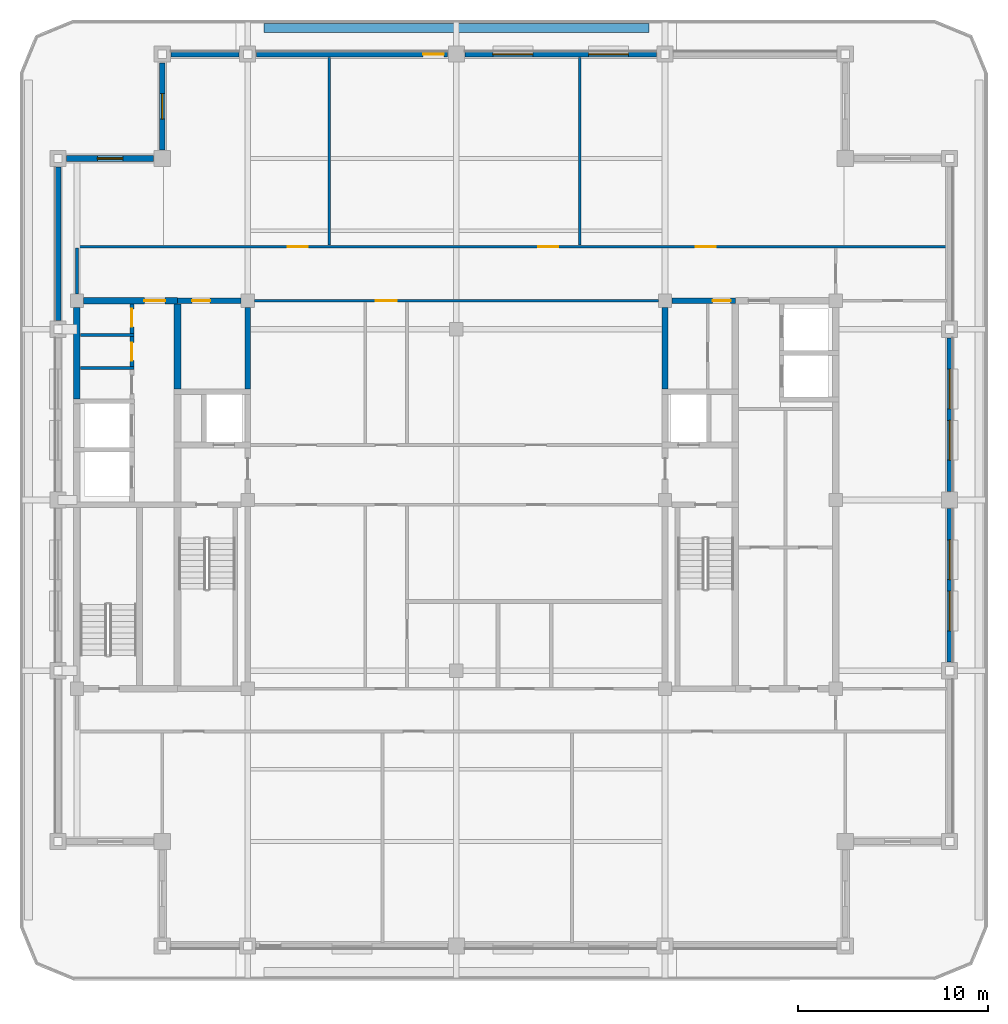
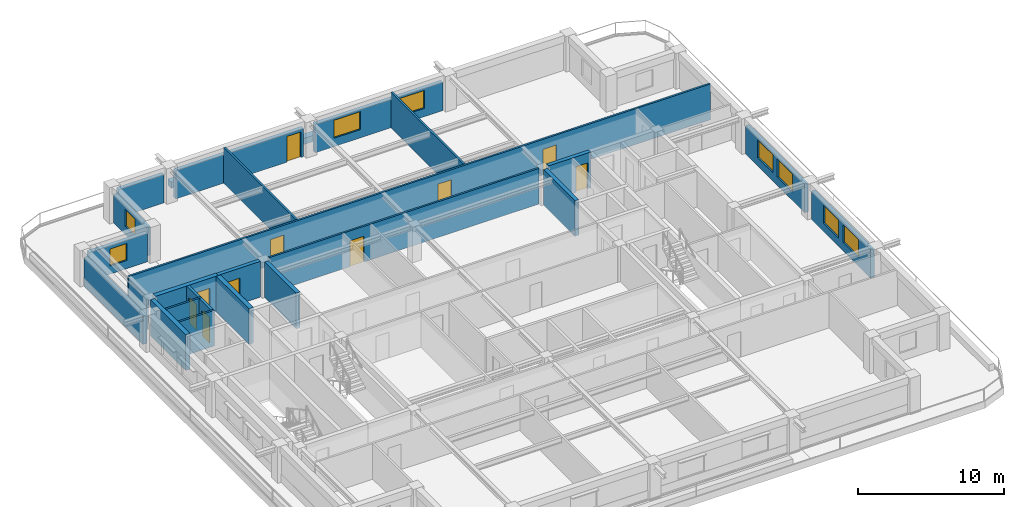
# One storey, part 5 of 11: 25 walls, 10 doors, 8 windows, 18 openings.
"""IFC4 building model written with IfcOpenShell, lengths in metres."""

from ifc_helpers import new_model, si_unit, direction, frame, frame_2d, origin, place, context, subcontext, project, spatial, rectangle, extrude, material, layer, layer_set, type_object, element, fill, save


model = new_model("IFC4")

# Units and contexts
model_context = context("Model", 3, precision=1e-05, world=origin(), true_north=direction((0.0, 1.0)))
body_context = subcontext(model_context, "Body", "Model", "MODEL_VIEW")
ifc_project = project(units=[si_unit("LENGTHUNIT", "METRE"), si_unit("AREAUNIT", "SQUARE_METRE"), si_unit("VOLUMEUNIT", "CUBIC_METRE"), si_unit("PLANEANGLEUNIT", "RADIAN"), si_unit("MASSUNIT", "GRAM", prefix="KILO")], contexts=[model_context])

# Site, building, storey
site_placement = place(None, origin())
site = spatial("IfcSite", under=ifc_project, at=site_placement, CompositionType="ELEMENT")
building_placement = place(site_placement, origin())
building = spatial("IfcBuilding", under=site, at=building_placement, Name="Zulmaris Gate Convention Tower", CompositionType="ELEMENT")
storey_placement = place(building_placement, frame((0.0, 0.0, 230.050048828125)))
storey = spatial("IfcBuildingStorey", under=building, at=storey_placement, Name="L60", CompositionType="ELEMENT", Elevation=230.050048828125)

# Wall, opening, door
ifc_material_1 = material(Name="Concrete C50/60", Category="concrete")
ifc_layer_1 = layer(ifc_material_1, 0.300048828125, Name="Concrete C50/60")
ifc_layer_set_1 = layer_set([ifc_layer_1], Name="Concrete C50/60")
wall_type_1 = type_object("IfcWallType", Name="CORE-300", PredefinedType="SHEAR", material=ifc_layer_set_1)
wall_1_placement = place(storey_placement, frame((-14.699951171875, 10.5, 0.0), z_axis=(0.0, 0.0, 1.0), x_axis=(1.0, 0.0, 0.0)))
wall_1 = element("IfcWall", 1, at=wall_1_placement, inside=storey, type_object=wall_type_1, Name="WL-L60-016", PredefinedType="SHEAR", context=body_context, shape_type="SweptSolid", body=[
    extrude(rectangle(XDim=3.345947265625, YDim=0.300048828125, at=frame_2d((1.6728515625, 0.0))), origin(), (0.0, 0.0, 1.0), 2.97998046875),
])
opening_1_placement = place(wall_1_placement, frame((0.77490234375, 0.0, 0.0)))
opening_1 = element("IfcOpeningElement", 2, at=opening_1_placement, cuts=wall_1, Name="Opening D-11", PredefinedType="OPENING", context=body_context, shape_type="SweptSolid", body=[
    extrude(rectangle(XDim=0.949951171875, YDim=2.14990234375, at=frame_2d((0.47509765625, 1.074951171875))), frame((0.0, 0.16015625, 0.0), z_axis=(0.0, -1.0, 0.0), x_axis=(1.0, 0.0, 0.0)), (0.0, 0.0, 1.0), 0.320068359375),
])
ifc_material_2 = material(Name="Fire-Rated Timber", Category="wood")
door_type_1 = type_object("IfcDoorType", Name="DR-950-FD", OperationType="NOTDEFINED", PredefinedType="DOOR", material=ifc_material_2)
door_1_placement = place(opening_1_placement, origin())
door_1 = element("IfcDoor", 3, at=door_1_placement, inside=storey, type_object=door_type_1, Name="L60 Core Archive Door 07", OperationType="SINGLE_SWING_LEFT", OverallHeight=2.14990234375, OverallWidth=0.949951171875, PredefinedType="DOOR", context=body_context, shape_type="SweptSolid", body=[
    extrude(rectangle(XDim=0.949951171875, YDim=2.14990234375, at=frame_2d((0.47509765625, 1.074951171875))), frame((0.0, 0.02490234375, 0.0), z_axis=(0.0, -1.0, 0.0), x_axis=(1.0, 0.0, 0.0)), (0.0, 0.0, 1.0), 0.050048828125),
])
fill(opening_1, door_1)

wall_2_placement = place(storey_placement, frame((11.35400390625, 10.5, 0.0), z_axis=(0.0, 0.0, 1.0), x_axis=(1.0, 0.0, 0.0)))
wall_2 = element("IfcWall", 4, at=wall_2_placement, inside=storey, type_object=wall_type_1, Name="WL-L60-017", PredefinedType="SHEAR", context=body_context, shape_type="SweptSolid", body=[
    extrude(rectangle(XDim=3.345947265625, YDim=0.300048828125, at=frame_2d((1.6728515625, 0.0))), origin(), (0.0, 0.0, 1.0), 2.97998046875),
])
opening_2_placement = place(wall_2_placement, frame((2.15087890625, 0.0, 0.0)))
opening_2 = element("IfcOpeningElement", 5, at=opening_2_placement, cuts=wall_2, Name="Opening D-11", PredefinedType="OPENING", context=body_context, shape_type="SweptSolid", body=[
    extrude(rectangle(XDim=0.949951171875, YDim=2.14990234375, at=frame_2d((0.47509765625, 1.074951171875))), frame((0.0, 0.16015625, 0.0), z_axis=(0.0, -1.0, 0.0), x_axis=(1.0, 0.0, 0.0)), (0.0, 0.0, 1.0), 0.320068359375),
])
door_2_placement = place(opening_2_placement, origin())
door_2 = element("IfcDoor", 6, at=door_2_placement, inside=storey, type_object=door_type_1, Name="L60 Core Linen Closet Door 08", OperationType="SINGLE_SWING_RIGHT", OverallHeight=2.14990234375, OverallWidth=0.949951171875, PredefinedType="DOOR", context=body_context, shape_type="SweptSolid", body=[
    extrude(rectangle(XDim=0.949951171875, YDim=2.14990234375, at=frame_2d((0.47509765625, 1.074951171875))), frame((0.0, 0.02490234375, 0.0), z_axis=(0.0, -1.0, 0.0), x_axis=(1.0, 0.0, 0.0)), (0.0, 0.0, 1.0), 0.050048828125),
])
fill(opening_2, door_2)

# Walls
for number, where, z_axis, x_axis, name in (
    (7, (-11.0, 5.85205078125, 0.0), (0.0, 0.0, 1.0), (0.0, 1.0, 0.0), "WL-L60-048"),
    (8, (11.0, 5.85205078125, 0.0), (0.0, 0.0, 1.0), (0.0, 1.0, 0.0), "WL-L60-052"),
):
    element("IfcWall", number, at=place(storey_placement, frame(where, z_axis=z_axis, x_axis=x_axis)), inside=storey, type_object=wall_type_1, Name=name, PredefinedType="SHEAR", context=body_context, shape_type="SweptSolid", body=[
        extrude(rectangle(XDim=4.2939453125, YDim=0.300048828125, at=frame_2d((2.14697265625, 0.0))), origin(), (0.0, 0.0, 1.0), 2.97998046875),
    ])

# Wall, opening, door
ifc_material_3 = material(Name="Concrete C55/67", Category="concrete")
ifc_layer_2 = layer(ifc_material_3, 0.35009765625, Name="Concrete C55/67")
ifc_layer_set_2 = layer_set([ifc_layer_2], Name="Concrete C55/67")
wall_type_2 = type_object("IfcWallType", Name="CORE-350", PredefinedType="SHEAR", material=ifc_layer_set_2)
wall_3_placement = place(storey_placement, frame((-19.64599609375, 10.5, 0.0), z_axis=(0.0, 0.0, 1.0), x_axis=(1.0, 0.0, 0.0)))
wall_3 = element("IfcWall", 9, at=wall_3_placement, inside=storey, type_object=wall_type_2, Name="WL-L60-015", PredefinedType="SHEAR", context=body_context, shape_type="SweptSolid", body=[
    extrude(rectangle(XDim=4.946044921875, YDim=0.35009765625, at=frame_2d((2.47314453125, 0.0))), origin(), (0.0, 0.0, 1.0), 2.97998046875),
])
opening_3_placement = place(wall_3_placement, frame((3.196044921875, 0.0, 0.0)))
opening_3 = element("IfcOpeningElement", 10, at=opening_3_placement, cuts=wall_3, Name="Opening D-08", PredefinedType="OPENING", context=body_context, shape_type="SweptSolid", body=[
    extrude(rectangle(XDim=1.10009765625, YDim=2.14990234375, at=frame_2d((0.550048828125, 1.074951171875))), frame((0.0, 0.18505859375, 0.0), z_axis=(0.0, -1.0, 0.0), x_axis=(1.0, 0.0, 0.0)), (0.0, 0.0, 1.0), 0.3701171875),
])
ifc_material_4 = material(Name="Fire-Rated Steel", Category="steel")
door_type_2 = type_object("IfcDoorType", Name="DR-1100-FD", OperationType="NOTDEFINED", PredefinedType="DOOR", material=ifc_material_4)
door_3_placement = place(opening_3_placement, origin())
door_3 = element("IfcDoor", 11, at=door_3_placement, inside=storey, type_object=door_type_2, Name="L60 High-Rise West Lift Lobby Door 13", OperationType="SINGLE_SWING_LEFT", OverallHeight=2.14990234375, OverallWidth=1.10009765625, PredefinedType="DOOR", context=body_context, shape_type="SweptSolid", body=[
    extrude(rectangle(XDim=1.10009765625, YDim=2.14990234375, at=frame_2d((0.550048828125, 1.074951171875))), frame((0.0, 0.02490234375, 0.0), z_axis=(0.0, -1.0, 0.0), x_axis=(1.0, 0.0, 0.0)), (0.0, 0.0, 1.0), 0.050048828125),
])
fill(opening_3, door_3)

# Walls
wall_4_placement = place(storey_placement, frame((-20.0, 5.326904296875, 0.0), z_axis=(0.0, 0.0, 1.0), x_axis=(0.0, 1.0, 0.0)))
element("IfcWall", 12, at=wall_4_placement, inside=storey, type_object=wall_type_2, Name="WL-L60-035", PredefinedType="SHEAR", context=body_context, shape_type="SweptSolid", body=[
    extrude(rectangle(XDim=4.819091796875, YDim=0.35009765625, at=frame_2d((2.40966796875, 0.0))), origin(), (0.0, 0.0, 1.0), 2.97998046875),
])
wall_5_placement = place(storey_placement, frame((-14.699951171875, 5.85205078125, 0.0), z_axis=(0.0, 0.0, 1.0), x_axis=(0.0, 1.0, 0.0)))
element("IfcWall", 13, at=wall_5_placement, inside=storey, type_object=wall_type_2, Name="WL-L60-042", PredefinedType="SHEAR", context=body_context, shape_type="SweptSolid", body=[
    extrude(rectangle(XDim=4.470947265625, YDim=0.35009765625, at=frame_2d((2.2353515625, 0.0))), origin(), (0.0, 0.0, 1.0), 2.97998046875),
])
ifc_material_5 = material(Name="Gypsum Metal Stud Partition")
ifc_layer_3 = layer(ifc_material_5, 0.14990234375, Name="Gypsum Metal Stud Partition")
ifc_layer_set_3 = layer_set([ifc_layer_3], Name="Gypsum Metal Stud Partition")
wall_type_3 = type_object("IfcWallType", Name="PART-150", PredefinedType="PARTITIONING", material=ifc_layer_set_3)
for number, where, z_axis, x_axis, name in (
    (14, (-19.822021484375, 6.949951171875, 0.0), (0.0, 0.0, 1.0), (1.0, 0.0, 0.0), "WL-L60-027"),
    (15, (-19.822021484375, 8.699951171875, 0.0), (0.0, 0.0, 1.0), (1.0, 0.0, 0.0), "WL-L60-028"),
):
    element("IfcWall", number, at=place(storey_placement, frame(where, z_axis=z_axis, x_axis=x_axis)), inside=storey, type_object=wall_type_3, Name=name, PredefinedType="PARTITIONING", context=body_context, shape_type="SweptSolid", body=[
        extrude(rectangle(XDim=2.822021484375, YDim=0.14990234375, at=frame_2d((1.4111328125, 0.0))), origin(), (0.0, 0.0, 1.0), 2.97998046875),
    ])

# Wall, opening, door
wall_6_placement = place(storey_placement, frame((-10.64404296875, 10.5, 0.0), z_axis=(0.0, 0.0, 1.0), x_axis=(1.0, 0.0, 0.0)))
wall_6 = element("IfcWall", 16, at=wall_6_placement, inside=storey, type_object=wall_type_3, Name="WL-L60-029", PredefinedType="PARTITIONING", context=body_context, shape_type="SweptSolid", body=[
    extrude(rectangle(XDim=21.2880859375, YDim=0.14990234375, at=frame_2d((10.64404296875, 0.0))), origin(), (0.0, 0.0, 1.0), 2.97998046875),
])
opening_4_placement = place(wall_6_placement, frame((6.39404296875, 0.0, 0.0)))
opening_4 = element("IfcOpeningElement", 17, at=opening_4_placement, cuts=wall_6, Name="Opening D-08", PredefinedType="OPENING", context=body_context, shape_type="SweptSolid", body=[
    extrude(rectangle(XDim=1.10009765625, YDim=2.14990234375, at=frame_2d((0.550048828125, 1.074951171875))), frame((0.0, 0.0849609375, 0.0), z_axis=(0.0, -1.0, 0.0), x_axis=(1.0, 0.0, 0.0)), (0.0, 0.0, 1.0), 0.169921875),
])
door_4_placement = place(opening_4_placement, origin())
door_4 = element("IfcDoor", 18, at=door_4_placement, inside=storey, type_object=door_type_2, Name="L60 Exec North Link Door 24", OperationType="SINGLE_SWING_RIGHT", OverallHeight=2.14990234375, OverallWidth=1.10009765625, PredefinedType="DOOR", context=body_context, shape_type="SweptSolid", body=[
    extrude(rectangle(XDim=1.10009765625, YDim=2.14990234375, at=frame_2d((0.550048828125, 1.074951171875))), frame((0.0, 0.02490234375, 0.0), z_axis=(0.0, -1.0, 0.0), x_axis=(1.0, 0.0, 0.0)), (0.0, 0.0, 1.0), 0.050048828125),
])
fill(opening_4, door_4)

# Wall, openings, doors
wall_7_placement = place(storey_placement, frame((-20.074951171875, 13.35009765625, 0.0), z_axis=(0.0, 0.0, 1.0), x_axis=(1.0, 0.0, 0.0)))
wall_7 = element("IfcWall", 19, at=wall_7_placement, inside=storey, type_object=wall_type_3, Name="WL-L60-031", PredefinedType="PARTITIONING", context=body_context, shape_type="SweptSolid", body=[
    extrude(rectangle(XDim=45.909912109375, YDim=0.14990234375, at=frame_2d((22.955078125, 0.0))), origin(), (0.0, 0.0, 1.0), 2.97998046875),
])
opening_5_placement = place(wall_7_placement, frame((11.199951171875, 0.0, 0.0)))
opening_5 = element("IfcOpeningElement", 20, at=opening_5_placement, cuts=wall_7, Name="Opening D-09", PredefinedType="OPENING", context=body_context, shape_type="SweptSolid", body=[
    extrude(rectangle(XDim=1.050048828125, YDim=2.14990234375, at=frame_2d((0.52490234375, 1.074951171875))), frame((0.0, 0.0849609375, 0.0), z_axis=(0.0, -1.0, 0.0), x_axis=(1.0, 0.0, 0.0)), (0.0, 0.0, 1.0), 0.169921875),
])
opening_6_placement = place(wall_7_placement, frame((24.39990234375, 0.0, 0.0)))
opening_6 = element("IfcOpeningElement", 21, at=opening_6_placement, cuts=wall_7, Name="Opening D-09", PredefinedType="OPENING", context=body_context, shape_type="SweptSolid", body=[
    extrude(rectangle(XDim=1.050048828125, YDim=2.14990234375, at=frame_2d((0.52490234375, 1.074951171875))), frame((0.0, 0.0849609375, 0.0), z_axis=(0.0, -1.0, 0.0), x_axis=(1.0, 0.0, 0.0)), (0.0, 0.0, 1.0), 0.169921875),
])
opening_7_placement = place(wall_7_placement, frame((32.699951171875, 0.0, 0.0)))
opening_7 = element("IfcOpeningElement", 22, at=opening_7_placement, cuts=wall_7, Name="Opening D-09", PredefinedType="OPENING", context=body_context, shape_type="SweptSolid", body=[
    extrude(rectangle(XDim=1.050048828125, YDim=2.14990234375, at=frame_2d((0.52490234375, 1.074951171875))), frame((0.0, 0.0849609375, 0.0), z_axis=(0.0, -1.0, 0.0), x_axis=(1.0, 0.0, 0.0)), (0.0, 0.0, 1.0), 0.169921875),
])
door_type_3 = type_object("IfcDoorType", Name="DR-1050-FD", OperationType="NOTDEFINED", PredefinedType="DOOR", material=ifc_material_4)
door_5_placement = place(opening_5_placement, origin())
door_5 = element("IfcDoor", 23, at=door_5_placement, inside=storey, type_object=door_type_3, Name="L60 Research Reading Room Door 28", OperationType="SINGLE_SWING_RIGHT", OverallHeight=2.14990234375, OverallWidth=1.050048828125, PredefinedType="DOOR", context=body_context, shape_type="SweptSolid", body=[
    extrude(rectangle(XDim=1.050048828125, YDim=2.14990234375, at=frame_2d((0.52490234375, 1.074951171875))), frame((0.0, 0.02490234375, 0.0), z_axis=(0.0, -1.0, 0.0), x_axis=(1.0, 0.0, 0.0)), (0.0, 0.0, 1.0), 0.050048828125),
])
fill(opening_5, door_5)
door_6_placement = place(opening_6_placement, origin())
door_6 = element("IfcDoor", 24, at=door_6_placement, inside=storey, type_object=door_type_3, Name="L60 Quiet Focus Study Door 29", OperationType="SINGLE_SWING_LEFT", OverallHeight=2.14990234375, OverallWidth=1.050048828125, PredefinedType="DOOR", context=body_context, shape_type="SweptSolid", body=[
    extrude(rectangle(XDim=1.050048828125, YDim=2.14990234375, at=frame_2d((0.52490234375, 1.074951171875))), frame((0.0, 0.02490234375, 0.0), z_axis=(0.0, -1.0, 0.0), x_axis=(1.0, 0.0, 0.0)), (0.0, 0.0, 1.0), 0.050048828125),
])
fill(opening_6, door_6)
door_7_placement = place(opening_7_placement, origin())
door_7 = element("IfcDoor", 25, at=door_7_placement, inside=storey, type_object=door_type_3, Name="L60 Legal Library Room Door 30", OperationType="SINGLE_SWING_RIGHT", OverallHeight=2.14990234375, OverallWidth=1.050048828125, PredefinedType="DOOR", context=body_context, shape_type="SweptSolid", body=[
    extrude(rectangle(XDim=1.050048828125, YDim=2.14990234375, at=frame_2d((0.52490234375, 1.074951171875))), frame((0.0, 0.02490234375, 0.0), z_axis=(0.0, -1.0, 0.0), x_axis=(1.0, 0.0, 0.0)), (0.0, 0.0, 1.0), 0.050048828125),
])
fill(opening_7, door_7)

# Walls
wall_8_placement = place(storey_placement, frame((-20.0, 10.85595703125, 0.0), z_axis=(0.0, 0.0, 1.0), x_axis=(0.0, 1.0, 0.0)))
element("IfcWall", 26, at=wall_8_placement, inside=storey, type_object=wall_type_3, Name="WL-L60-065", PredefinedType="PARTITIONING", context=body_context, shape_type="SweptSolid", body=[
    extrude(rectangle(XDim=2.416015625, YDim=0.14990234375, at=frame_2d((1.2080078125, 0.0))), origin(), (0.0, 0.0, 1.0), 2.570068359375),
])
for number, where, z_axis, x_axis, name in (
    (27, (-6.699951171875, 13.427978515625, 0.0), (0.0, 0.0, 1.0), (0.0, 1.0, 0.0), "WL-L60-070"),
    (28, (6.5, 13.427978515625, 0.0), (0.0, 0.0, 1.0), (0.0, 1.0, 0.0), "WL-L60-080"),
):
    element("IfcWall", number, at=place(storey_placement, frame(where, z_axis=z_axis, x_axis=x_axis)), inside=storey, type_object=wall_type_3, Name=name, PredefinedType="PARTITIONING", context=body_context, shape_type="SweptSolid", body=[
        extrude(rectangle(XDim=9.906982421875, YDim=0.14990234375, at=frame_2d((4.95361328125, 0.0))), origin(), (0.0, 0.0, 1.0), 2.97998046875),
    ])

# Wall, opening, door
ifc_material_6 = material(Name="Autoclaved Aerated Concrete Block and Plasterboard", Category="concrete")
ifc_layer_4 = layer(ifc_material_6, 0.199951171875, Name="Autoclaved Aerated Concrete Block and Plasterboard")
ifc_layer_set_4 = layer_set([ifc_layer_4], Name="Autoclaved Aerated Concrete Block and Plasterboard")
wall_type_4 = type_object("IfcWallType", Name="PART-200", PredefinedType="PARTITIONING", material=ifc_layer_set_4)
wall_9_placement = place(storey_placement, frame((-17.10009765625, 7.028076171875, 0.0), z_axis=(0.0, 0.0, 1.0), x_axis=(0.0, 1.0, 0.0)))
wall_9 = element("IfcWall", 29, at=wall_9_placement, inside=storey, type_object=wall_type_4, Name="WL-L60-067", PredefinedType="PARTITIONING", context=body_context, shape_type="SweptSolid", body=[
    extrude(rectangle(XDim=1.593994140625, YDim=0.199951171875, at=frame_2d((0.796875, 0.0))), origin(), (0.0, 0.0, 1.0), 2.97998046875),
])
opening_8_placement = place(wall_9_placement, frame((0.31689453125, 0.0, 0.0)))
opening_8 = element("IfcOpeningElement", 30, at=opening_8_placement, cuts=wall_9, Name="Opening D-11", PredefinedType="OPENING", context=body_context, shape_type="SweptSolid", body=[
    extrude(rectangle(XDim=0.949951171875, YDim=2.14990234375, at=frame_2d((0.47509765625, 1.074951171875))), frame((0.0, 0.10986328125, 0.0), z_axis=(0.0, -1.0, 0.0), x_axis=(1.0, 0.0, 0.0)), (0.0, 0.0, 1.0), 0.219970703125),
])
door_8_placement = place(opening_8_placement, origin())
door_8 = element("IfcDoor", 31, at=door_8_placement, inside=storey, type_object=door_type_1, Name="L60 Ice Pantry Door 15", OperationType="SINGLE_SWING_LEFT", OverallHeight=2.14990234375, OverallWidth=0.949951171875, PredefinedType="DOOR", context=body_context, shape_type="SweptSolid", body=[
    extrude(rectangle(XDim=0.949951171875, YDim=2.14990234375, at=frame_2d((0.47509765625, 1.074951171875))), frame((0.0, 0.02490234375, 0.0), z_axis=(0.0, -1.0, 0.0), x_axis=(1.0, 0.0, 0.0)), (0.0, 0.0, 1.0), 0.050048828125),
])
fill(opening_8, door_8)

wall_10_placement = place(storey_placement, frame((-17.10009765625, 8.778076171875, 0.0), z_axis=(0.0, 0.0, 1.0), x_axis=(0.0, 1.0, 0.0)))
wall_10 = element("IfcWall", 32, at=wall_10_placement, inside=storey, type_object=wall_type_4, Name="WL-L60-068", PredefinedType="PARTITIONING", context=body_context, shape_type="SweptSolid", body=[
    extrude(rectangle(XDim=1.5439453125, YDim=0.199951171875, at=frame_2d((0.77197265625, 0.0))), origin(), (0.0, 0.0, 1.0), 2.97998046875),
])
opening_9_placement = place(wall_10_placement, frame((0.346923828125, 0.0, 0.0)))
opening_9 = element("IfcOpeningElement", 33, at=opening_9_placement, cuts=wall_10, Name="Opening D-11", PredefinedType="OPENING", context=body_context, shape_type="SweptSolid", body=[
    extrude(rectangle(XDim=0.949951171875, YDim=2.14990234375, at=frame_2d((0.47509765625, 1.074951171875))), frame((0.0, 0.10986328125, 0.0), z_axis=(0.0, -1.0, 0.0), x_axis=(1.0, 0.0, 0.0)), (0.0, 0.0, 1.0), 0.219970703125),
])
door_9_placement = place(opening_9_placement, origin())
door_9 = element("IfcDoor", 34, at=door_9_placement, inside=storey, type_object=door_type_1, Name="L60 Housekeeping Door 14", OperationType="SINGLE_SWING_RIGHT", OverallHeight=2.14990234375, OverallWidth=0.949951171875, PredefinedType="DOOR", context=body_context, shape_type="SweptSolid", body=[
    extrude(rectangle(XDim=0.949951171875, YDim=2.14990234375, at=frame_2d((0.47509765625, 1.074951171875))), frame((0.0, 0.02490234375, 0.0), z_axis=(0.0, -1.0, 0.0), x_axis=(1.0, 0.0, 0.0)), (0.0, 0.0, 1.0), 0.050048828125),
])
fill(opening_9, door_9)

# Wall
ifc_material_7 = material(Name="Botanical Green Glazed Precast Concrete C40/50", Category="concrete")
ifc_layer_5 = layer(ifc_material_7, 0.419921875, Name="Botanical Green Glazed Precast Concrete C40/50")
ifc_layer_set_5 = layer_set([ifc_layer_5], Name="Botanical Green Glazed Precast Concrete C40/50")
wall_type_5 = type_object("IfcWallType", Name="PLANTER-CURB-200", PredefinedType="PARAPET", material=ifc_layer_set_5)
wall_11_placement = place(storey_placement, frame((-10.14990234375, 24.8798828125, -0.0400390625), z_axis=(0.0, 0.0, 1.0), x_axis=(1.0, 0.0, 0.0)))
element("IfcWall", 35, at=wall_11_placement, inside=storey, type_object=wall_type_5, Name="L60 Full-Length Balcony Tree Planter Trough", PredefinedType="PARAPET", context=body_context, shape_type="SweptSolid", body=[
    extrude(rectangle(XDim=20.2998046875, YDim=0.47998046875, at=frame_2d((10.14990234375, 0.0))), origin(), (0.0, 0.0, 1.0), 0.52001953125),
])

# Wall, opening, window
ifc_material_8 = material(Name="Precast concrete C40/50", Category="concrete")
ifc_layer_6 = layer(ifc_material_8, 0.300048828125, Name="Precast concrete C40/50")
ifc_layer_set_6 = layer_set([ifc_layer_6], Name="Precast concrete C40/50")
wall_type_6 = type_object("IfcWallType", Name="PRECAST-PIER-300", PredefinedType="STANDARD", material=ifc_layer_set_6)
wall_12_placement = place(storey_placement, frame((-15.5, 23.044921875, 0.0), z_axis=(0.0, 0.0, 1.0), x_axis=(0.0, -1.0, 0.0)))
wall_12 = element("IfcWall", 36, at=wall_12_placement, inside=storey, type_object=wall_type_6, Name="EW-L60-NOTCH-NW1_0", PredefinedType="STANDARD", context=body_context, shape_type="SweptSolid", body=[
    extrude(rectangle(XDim=4.58984375, YDim=0.300048828125, at=frame_2d((2.294921875, 0.0))), origin(), (0.0, 0.0, 1.0), 2.3720703125),
])
opening_10_placement = place(wall_12_placement, frame((1.6201171875, 0.0, 0.679931640625)))
opening_10 = element("IfcOpeningElement", 37, at=opening_10_placement, cuts=wall_12, Name="Opening W-10", PredefinedType="OPENING", context=body_context, shape_type="SweptSolid", body=[
    extrude(rectangle(XDim=1.35009765625, YDim=1.419921875, at=frame_2d((0.675048828125, 0.7099609375))), frame((0.0, 0.16015625, 0.0), z_axis=(0.0, -1.0, 0.0), x_axis=(1.0, 0.0, 0.0)), (0.0, 0.0, 1.0), 0.320068359375),
])
ifc_material_9 = material(Name="Low-E Laminated Double Glazing in Aluminium Frame", Category="aluminium")
window_type_1 = type_object("IfcWindowType", Name="WIN-1350x2000", PartitioningType="SINGLE_PANEL", PredefinedType="WINDOW", material=ifc_material_9)
window_1_placement = place(opening_10_placement, origin())
window_1 = element("IfcWindow", 38, at=window_1_placement, inside=storey, type_object=window_type_1, Name="WN-EW-L60-NOTCH-NW1_0", OverallHeight=1.419921875, OverallWidth=1.35009765625, PartitioningType="SINGLE_PANEL", PredefinedType="WINDOW", context=body_context, shape_type="SweptSolid", body=[
    extrude(rectangle(XDim=1.35009765625, YDim=1.419921875, at=frame_2d((0.675048828125, 0.7099609375))), frame((0.0, 0.030029296875, 0.0), z_axis=(0.0, -1.0, 0.0), x_axis=(1.0, 0.0, 0.0)), (0.0, 0.0, 1.0), 0.06005859375),
])
fill(opening_10, window_1)

wall_13_placement = place(storey_placement, frame((-15.955078125, 18.0, 0.0), z_axis=(0.0, 0.0, 1.0), x_axis=(-1.0, 0.0, 0.0)))
wall_13 = element("IfcWall", 39, at=wall_13_placement, inside=storey, type_object=wall_type_6, Name="EW-L60-NOTCH-NW2_0", PredefinedType="STANDARD", context=body_context, shape_type="SweptSolid", body=[
    extrude(rectangle(XDim=4.58984375, YDim=0.300048828125, at=frame_2d((2.294921875, 0.0))), origin(), (0.0, 0.0, 1.0), 2.3720703125),
])
opening_11_placement = place(wall_13_placement, frame((1.6201171875, 0.0, 0.679931640625)))
opening_11 = element("IfcOpeningElement", 40, at=opening_11_placement, cuts=wall_13, Name="Opening W-10", PredefinedType="OPENING", context=body_context, shape_type="SweptSolid", body=[
    extrude(rectangle(XDim=1.35009765625, YDim=1.419921875, at=frame_2d((0.675048828125, 0.7099609375))), frame((0.0, 0.16015625, 0.0), z_axis=(0.0, -1.0, 0.0), x_axis=(1.0, 0.0, 0.0)), (0.0, 0.0, 1.0), 0.320068359375),
])
window_2_placement = place(opening_11_placement, origin())
window_2 = element("IfcWindow", 41, at=window_2_placement, inside=storey, type_object=window_type_1, Name="WN-EW-L60-NOTCH-NW2_0", OverallHeight=1.419921875, OverallWidth=1.35009765625, PartitioningType="SINGLE_PANEL", PredefinedType="WINDOW", context=body_context, shape_type="SweptSolid", body=[
    extrude(rectangle(XDim=1.35009765625, YDim=1.419921875, at=frame_2d((0.675048828125, 0.7099609375))), frame((0.0, 0.030029296875, 0.0), z_axis=(0.0, -1.0, 0.0), x_axis=(1.0, 0.0, 0.0)), (0.0, 0.0, 1.0), 0.06005859375),
])
fill(opening_11, window_2)

# Wall
wall_14_placement = place(storey_placement, frame((-11.455078125, 23.5, 0.0), z_axis=(0.0, 0.0, 1.0), x_axis=(-1.0, 0.0, 0.0)))
element("IfcWall", 42, at=wall_14_placement, inside=storey, type_object=wall_type_6, Name="EW-L60-N-0_0", PredefinedType="STANDARD", context=body_context, shape_type="SweptSolid", body=[
    extrude(rectangle(XDim=3.58984375, YDim=0.300048828125, at=frame_2d((1.794921875, 0.0))), origin(), (0.0, 0.0, 1.0), 2.3720703125),
])

# Wall, opening, door
wall_15_placement = place(storey_placement, frame((-0.455078125, 23.5, 0.0), z_axis=(0.0, 0.0, 1.0), x_axis=(-1.0, 0.0, 0.0)))
wall_15 = element("IfcWall", 43, at=wall_15_placement, inside=storey, type_object=wall_type_6, Name="EW-L60-N-1_0", PredefinedType="STANDARD", context=body_context, shape_type="SweptSolid", body=[
    extrude(rectangle(XDim=10.08984375, YDim=0.300048828125, at=frame_2d((5.044921875, 0.0))), origin(), (0.0, 0.0, 1.0), 2.3720703125),
])
opening_12_placement = place(wall_15_placement, frame((0.199951171875, 0.0, 0.0)))
opening_12 = element("IfcOpeningElement", 44, at=opening_12_placement, cuts=wall_15, Name="Opening D-04", PredefinedType="OPENING", context=body_context, shape_type="SweptSolid", body=[
    extrude(rectangle(XDim=1.10009765625, YDim=2.14990234375, at=frame_2d((0.550048828125, 1.074951171875))), frame((0.0, 0.16015625, 0.0), z_axis=(0.0, -1.0, 0.0), x_axis=(1.0, 0.0, 0.0)), (0.0, 0.0, 1.0), 0.320068359375),
])
ifc_material_10 = material(Name="Anodised Aluminium and Laminated Glass", Category="aluminium")
door_type_4 = type_object("IfcDoorType", Name="ED-1100", OperationType="SINGLE_SWING_RIGHT", PredefinedType="DOOR", material=ifc_material_10)
door_10_placement = place(opening_12_placement, origin())
door_10 = element("IfcDoor", 45, at=door_10_placement, inside=storey, type_object=door_type_4, Name="L60 N Planted Terrace Door", OperationType="SINGLE_SWING_LEFT", OverallHeight=2.14990234375, OverallWidth=1.10009765625, PredefinedType="DOOR", context=body_context, shape_type="SweptSolid", body=[
    extrude(rectangle(XDim=1.10009765625, YDim=2.14990234375, at=frame_2d((0.550048828125, 1.074951171875))), frame((0.0, 0.02490234375, 0.0), z_axis=(0.0, -1.0, 0.0), x_axis=(1.0, 0.0, 0.0)), (0.0, 0.0, 1.0), 0.050048828125),
])
fill(opening_12, door_10)

# Wall, openings, windows
wall_16_placement = place(storey_placement, frame((10.544921875, 23.5, 0.0), z_axis=(0.0, 0.0, 1.0), x_axis=(-1.0, 0.0, 0.0)))
wall_16 = element("IfcWall", 46, at=wall_16_placement, inside=storey, type_object=wall_type_6, Name="EW-L60-N-2_0", PredefinedType="STANDARD", context=body_context, shape_type="SweptSolid", body=[
    extrude(rectangle(XDim=10.08984375, YDim=0.300048828125, at=frame_2d((5.044921875, 0.0))), origin(), (0.0, 0.0, 1.0), 2.3720703125),
])
opening_13_placement = place(wall_16_placement, frame((1.471923828125, 0.0, 0.699951171875)))
opening_13 = element("IfcOpeningElement", 47, at=opening_13_placement, cuts=wall_16, Name="Opening W-05", PredefinedType="OPENING", context=body_context, shape_type="SweptSolid", body=[
    extrude(rectangle(XDim=2.10009765625, YDim=1.5, at=frame_2d((1.050048828125, 0.75))), frame((0.0, 0.16015625, 0.0), z_axis=(0.0, -1.0, 0.0), x_axis=(1.0, 0.0, 0.0)), (0.0, 0.0, 1.0), 0.320068359375),
])
opening_14_placement = place(wall_16_placement, frame((6.51806640625, 0.0, 0.699951171875)))
opening_14 = element("IfcOpeningElement", 48, at=opening_14_placement, cuts=wall_16, Name="Opening W-05", PredefinedType="OPENING", context=body_context, shape_type="SweptSolid", body=[
    extrude(rectangle(XDim=2.10009765625, YDim=1.5, at=frame_2d((1.050048828125, 0.75))), frame((0.0, 0.16015625, 0.0), z_axis=(0.0, -1.0, 0.0), x_axis=(1.0, 0.0, 0.0)), (0.0, 0.0, 1.0), 0.320068359375),
])
window_type_2 = type_object("IfcWindowType", Name="WIN-2100x2400", PartitioningType="SINGLE_PANEL", PredefinedType="WINDOW", material=ifc_material_9)
window_3_placement = place(opening_13_placement, origin())
window_3 = element("IfcWindow", 49, at=window_3_placement, inside=storey, type_object=window_type_2, Name="WN-EW-L60-N-2_0-1", OverallHeight=1.5, OverallWidth=2.10009765625, PartitioningType="SINGLE_PANEL", PredefinedType="WINDOW", context=body_context, shape_type="SweptSolid", body=[
    extrude(rectangle(XDim=2.10009765625, YDim=1.5, at=frame_2d((1.050048828125, 0.75))), frame((0.0, 0.030029296875, 0.0), z_axis=(0.0, -1.0, 0.0), x_axis=(1.0, 0.0, 0.0)), (0.0, 0.0, 1.0), 0.06005859375),
])
fill(opening_13, window_3)
window_4_placement = place(opening_14_placement, origin())
window_4 = element("IfcWindow", 50, at=window_4_placement, inside=storey, type_object=window_type_2, Name="WN-EW-L60-N-2_0-3", OverallHeight=1.5, OverallWidth=2.10009765625, PartitioningType="SINGLE_PANEL", PredefinedType="WINDOW", context=body_context, shape_type="SweptSolid", body=[
    extrude(rectangle(XDim=2.10009765625, YDim=1.5, at=frame_2d((1.050048828125, 0.75))), frame((0.0, 0.030029296875, 0.0), z_axis=(0.0, -1.0, 0.0), x_axis=(1.0, 0.0, 0.0)), (0.0, 0.0, 1.0), 0.06005859375),
])
fill(opening_14, window_4)

wall_17_placement = place(storey_placement, frame((26.0, -8.544921875, 0.0), z_axis=(0.0, 0.0, 1.0), x_axis=(0.0, 1.0, 0.0)))
wall_17 = element("IfcWall", 51, at=wall_17_placement, inside=storey, type_object=wall_type_6, Name="EW-L60-E-1_0", PredefinedType="STANDARD", context=body_context, shape_type="SweptSolid", body=[
    extrude(rectangle(XDim=8.08984375, YDim=0.300048828125, at=frame_2d((4.044921875, 0.0))), origin(), (0.0, 0.0, 1.0), 2.3720703125),
])
opening_15_placement = place(wall_17_placement, frame((1.64697265625, 0.0, 0.699951171875)))
opening_15 = element("IfcOpeningElement", 52, at=opening_15_placement, cuts=wall_17, Name="Opening W-05", PredefinedType="OPENING", context=body_context, shape_type="SweptSolid", body=[
    extrude(rectangle(XDim=2.10009765625, YDim=1.5, at=frame_2d((1.050048828125, 0.75))), frame((0.0, 0.16015625, 0.0), z_axis=(0.0, -1.0, 0.0), x_axis=(1.0, 0.0, 0.0)), (0.0, 0.0, 1.0), 0.320068359375),
])
opening_16_placement = place(wall_17_placement, frame((4.343017578125, 0.0, 0.699951171875)))
opening_16 = element("IfcOpeningElement", 53, at=opening_16_placement, cuts=wall_17, Name="Opening W-05", PredefinedType="OPENING", context=body_context, shape_type="SweptSolid", body=[
    extrude(rectangle(XDim=2.10009765625, YDim=1.5, at=frame_2d((1.050048828125, 0.75))), frame((0.0, 0.16015625, 0.0), z_axis=(0.0, -1.0, 0.0), x_axis=(1.0, 0.0, 0.0)), (0.0, 0.0, 1.0), 0.320068359375),
])
window_5_placement = place(opening_15_placement, origin())
window_5 = element("IfcWindow", 54, at=window_5_placement, inside=storey, type_object=window_type_2, Name="WN-EW-L60-E-1_0-1", OverallHeight=1.5, OverallWidth=2.10009765625, PartitioningType="SINGLE_PANEL", PredefinedType="WINDOW", context=body_context, shape_type="SweptSolid", body=[
    extrude(rectangle(XDim=2.10009765625, YDim=1.5, at=frame_2d((1.050048828125, 0.75))), frame((0.0, 0.030029296875, 0.0), z_axis=(0.0, -1.0, 0.0), x_axis=(1.0, 0.0, 0.0)), (0.0, 0.0, 1.0), 0.06005859375),
])
fill(opening_15, window_5)
window_6_placement = place(opening_16_placement, origin())
window_6 = element("IfcWindow", 55, at=window_6_placement, inside=storey, type_object=window_type_2, Name="WN-EW-L60-E-1_0-2", OverallHeight=1.5, OverallWidth=2.10009765625, PartitioningType="SINGLE_PANEL", PredefinedType="WINDOW", context=body_context, shape_type="SweptSolid", body=[
    extrude(rectangle(XDim=2.10009765625, YDim=1.5, at=frame_2d((1.050048828125, 0.75))), frame((0.0, 0.030029296875, 0.0), z_axis=(0.0, -1.0, 0.0), x_axis=(1.0, 0.0, 0.0)), (0.0, 0.0, 1.0), 0.06005859375),
])
fill(opening_16, window_6)

wall_18_placement = place(storey_placement, frame((26.0, 0.455078125, 0.0), z_axis=(0.0, 0.0, 1.0), x_axis=(0.0, 1.0, 0.0)))
wall_18 = element("IfcWall", 56, at=wall_18_placement, inside=storey, type_object=wall_type_6, Name="EW-L60-E-2_0", PredefinedType="STANDARD", context=body_context, shape_type="SweptSolid", body=[
    extrude(rectangle(XDim=8.08984375, YDim=0.300048828125, at=frame_2d((4.044921875, 0.0))), origin(), (0.0, 0.0, 1.0), 2.3720703125),
])
opening_17_placement = place(wall_18_placement, frame((1.64697265625, 0.0, 0.699951171875)))
opening_17 = element("IfcOpeningElement", 57, at=opening_17_placement, cuts=wall_18, Name="Opening W-05", PredefinedType="OPENING", context=body_context, shape_type="SweptSolid", body=[
    extrude(rectangle(XDim=2.10009765625, YDim=1.5, at=frame_2d((1.050048828125, 0.75))), frame((0.0, 0.16015625, 0.0), z_axis=(0.0, -1.0, 0.0), x_axis=(1.0, 0.0, 0.0)), (0.0, 0.0, 1.0), 0.320068359375),
])
opening_18_placement = place(wall_18_placement, frame((4.343017578125, 0.0, 0.699951171875)))
opening_18 = element("IfcOpeningElement", 58, at=opening_18_placement, cuts=wall_18, Name="Opening W-05", PredefinedType="OPENING", context=body_context, shape_type="SweptSolid", body=[
    extrude(rectangle(XDim=2.10009765625, YDim=1.5, at=frame_2d((1.050048828125, 0.75))), frame((0.0, 0.16015625, 0.0), z_axis=(0.0, -1.0, 0.0), x_axis=(1.0, 0.0, 0.0)), (0.0, 0.0, 1.0), 0.320068359375),
])
window_7_placement = place(opening_17_placement, origin())
window_7 = element("IfcWindow", 59, at=window_7_placement, inside=storey, type_object=window_type_2, Name="WN-EW-L60-E-2_0-1", OverallHeight=1.5, OverallWidth=2.10009765625, PartitioningType="SINGLE_PANEL", PredefinedType="WINDOW", context=body_context, shape_type="SweptSolid", body=[
    extrude(rectangle(XDim=2.10009765625, YDim=1.5, at=frame_2d((1.050048828125, 0.75))), frame((0.0, 0.030029296875, 0.0), z_axis=(0.0, -1.0, 0.0), x_axis=(1.0, 0.0, 0.0)), (0.0, 0.0, 1.0), 0.06005859375),
])
fill(opening_17, window_7)
window_8_placement = place(opening_18_placement, origin())
window_8 = element("IfcWindow", 60, at=window_8_placement, inside=storey, type_object=window_type_2, Name="WN-EW-L60-E-2_0-2", OverallHeight=1.5, OverallWidth=2.10009765625, PartitioningType="SINGLE_PANEL", PredefinedType="WINDOW", context=body_context, shape_type="SweptSolid", body=[
    extrude(rectangle(XDim=2.10009765625, YDim=1.5, at=frame_2d((1.050048828125, 0.75))), frame((0.0, 0.030029296875, 0.0), z_axis=(0.0, -1.0, 0.0), x_axis=(1.0, 0.0, 0.0)), (0.0, 0.0, 1.0), 0.06005859375),
])
fill(opening_18, window_8)

# Wall
wall_19_placement = place(storey_placement, frame((-21.0, 17.544921875, 0.0), z_axis=(0.0, 0.0, 1.0), x_axis=(0.0, -1.0, 0.0)))
element("IfcWall", 61, at=wall_19_placement, inside=storey, type_object=wall_type_6, Name="EW-L60-W-3_0", PredefinedType="STANDARD", context=body_context, shape_type="SweptSolid", body=[
    extrude(rectangle(XDim=8.08984375, YDim=0.300048828125, at=frame_2d((4.044921875, 0.0))), origin(), (0.0, 0.0, 1.0), 2.3720703125),
])

save(model, "model.ifc")
